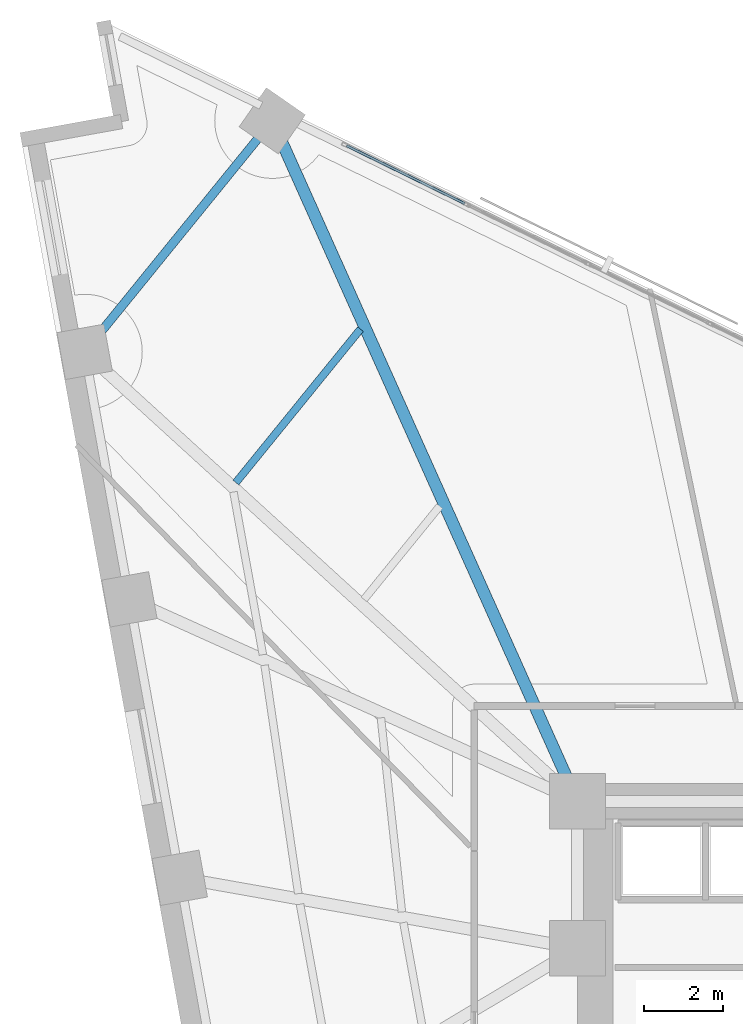
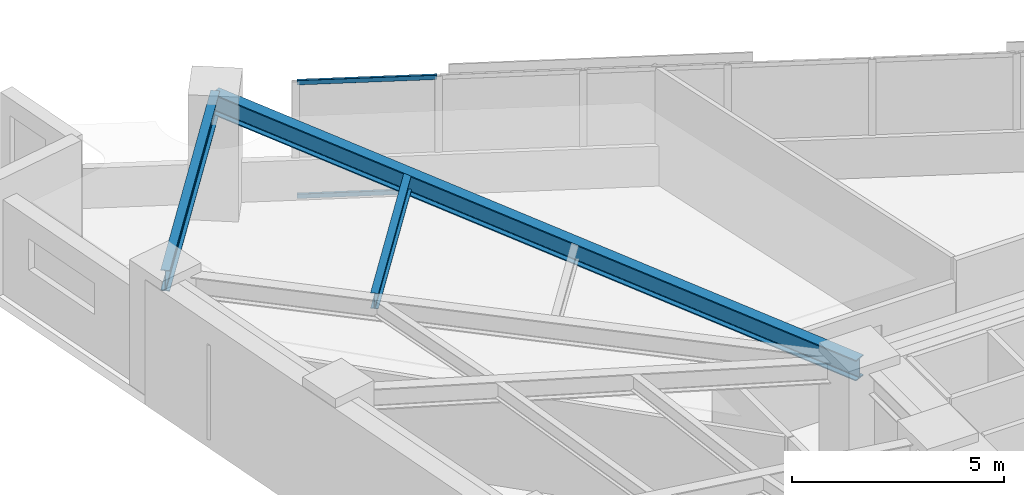
# One storey, part 9 of 18: 3 beams, 2 members, 1 element without a shape of its own.
"""IFC4 building model written with IfcOpenShell, lengths in metres."""

from ifc_helpers import new_model, si_unit, direction, frame, origin, origin_2d, place, context, subcontext, project, spatial, hollow_rectangle, i_section, extrude, material, material_profile, profile_set, type_object, element, aggregate, save


model = new_model("IFC4")

# Units and contexts
model_context = context("Model", 3, precision=1e-05, world=origin(), true_north=direction((0.0, 1.0)))
body_context = subcontext(model_context, "Body", "Model", "MODEL_VIEW")
ifc_project = project(units=[si_unit("LENGTHUNIT", "METRE"), si_unit("AREAUNIT", "SQUARE_METRE"), si_unit("VOLUMEUNIT", "CUBIC_METRE"), si_unit("PLANEANGLEUNIT", "RADIAN"), si_unit("MASSUNIT", "GRAM", prefix="KILO")], contexts=[model_context])

# Site, building, storey
site_placement = place(None, origin())
site = spatial("IfcSite", under=ifc_project, at=site_placement, CompositionType="ELEMENT")
building_placement = place(site_placement, origin())
building = spatial("IfcBuilding", under=site, at=building_placement, Name="Narakoshi Arena Tower", CompositionType="ELEMENT")
storey_placement = place(building_placement, frame((0.0, 0.0, 99.300048828125)))
storey = spatial("IfcBuildingStorey", under=building, at=storey_placement, Name="L26", CompositionType="ELEMENT", Elevation=99.300048828125)

# Beams
ifc_material_1 = material(Name="Structural steel S355J2", Category="steel")
ifc_material_profile_1 = material_profile(ifc_material_1, i_section(OverallWidth=0.219970703125, OverallDepth=0.60009765625, WebThickness=0.011962890625, FlangeThickness=0.01904296875, FilletRadius=0.02392578125, at=origin_2d()), Name="IPE600")
ifc_profile_set_1 = profile_set([ifc_material_profile_1], Name="Structural steel S355J2")
beam_type_1 = type_object("IfcBeamType", Name="BM-EDGE-600", PredefinedType="BEAM", material=ifc_profile_set_1)
beam_1_placement = place(storey_placement, frame((64.31787109375, 73.633056640625, 3.0400390625), z_axis=(-0.630427035182, -0.776248512598, 0.0), x_axis=(0.776248512598, -0.630427035182, 0.0)))
element("IfcBeam", 1, at=beam_1_placement, inside=storey, type_object=beam_type_1, Name="L26 Perimeter Edge Girder 09", PredefinedType="BEAM", context=body_context, shape_type="SweptSolid", body=[
    extrude(i_section(OverallWidth=0.219970703125, OverallDepth=0.60009765625, WebThickness=0.011962890625, FlangeThickness=0.01904296875, FilletRadius=0.02392578125, at=origin_2d()), origin(), (0.0, 0.0, 1.0), 7.493896484375),
])
ifc_material_profile_2 = material_profile(ifc_material_1, i_section(OverallWidth=0.300048828125, OverallDepth=0.60009765625, WebThickness=0.015380859375, FlangeThickness=0.030029296875, FilletRadius=0.027099609375, at=origin_2d()), Name="HE600B")
ifc_profile_set_2 = profile_set([ifc_material_profile_2], Name="Structural steel S355J2")
beam_type_2 = type_object("IfcBeamType", Name="BM-PRI-600", PredefinedType="BEAM", material=ifc_profile_set_2)
beam_2_placement = place(storey_placement, frame((72.0, 56.5, 3.0400390625), z_axis=(-0.409135423529, 0.91247367371, 0.0), x_axis=(-0.91247367371, -0.409135423529, 0.0)))
element("IfcBeam", 2, at=beam_2_placement, inside=storey, type_object=beam_type_2, Name="L26 Radial Primary Floor Girder 09", PredefinedType="BEAM", context=body_context, shape_type="SweptSolid", body=[
    extrude(i_section(OverallWidth=0.300048828125, OverallDepth=0.60009765625, WebThickness=0.015380859375, FlangeThickness=0.030029296875, FilletRadius=0.027099609375, at=origin_2d()), origin(), (0.0, 0.0, 1.0), 18.776611328125),
])
ifc_material_profile_3 = material_profile(ifc_material_1, i_section(OverallWidth=0.18994140625, OverallDepth=0.449951171875, WebThickness=0.009521484375, FlangeThickness=0.0146484375, FilletRadius=0.02099609375, at=origin_2d()), Name="IPE450")
ifc_profile_set_3 = profile_set([ifc_material_profile_3], Name="Structural steel S355J2")
beam_type_3 = type_object("IfcBeamType", Name="BM-SEC-450", PredefinedType="JOIST", material=ifc_profile_set_3)
beam_3_placement = place(storey_placement, frame((66.537353515625, 68.38818359375, 3.114990234375), z_axis=(-0.630422662324, -0.776252063977, 0.0), x_axis=(0.776252063977, -0.630422662324, 0.0)))
element("IfcBeam", 3, at=beam_3_placement, inside=storey, type_object=beam_type_3, Name="L26 Composite Secondary Floor Joist 10", PredefinedType="JOIST", context=body_context, shape_type="SweptSolid", body=[
    extrude(i_section(OverallWidth=0.18994140625, OverallDepth=0.449951171875, WebThickness=0.009521484375, FlangeThickness=0.0146484375, FilletRadius=0.02099609375, at=origin_2d()), origin(), (0.0, 0.0, 1.0), 4.9755859375),
])

# Curtain wall, members
ifc_material_2 = material(Name="Anodised bronze aluminium 6063-T6", Category="aluminium")
curtain_wall_type = type_object("IfcCurtainWallType", Name="CW-HYP-LOW", PredefinedType="NOTDEFINED", material=ifc_material_2)
curtain_wall_placement = place(storey_placement, origin())
curtain_wall = element("IfcCurtainWall", 4, at=curtain_wall_placement, inside=storey, type_object=curtain_wall_type, Name="L26 Folded Hypotenuse Curtain Wall 2-1", PredefinedType="NOTDEFINED")
ifc_material_profile_4 = material_profile(ifc_material_2, hollow_rectangle(XDim=0.06494140625, YDim=0.1298828125, WallThickness=0.00390625, OuterFilletRadius=0.0048828125, at=origin_2d()), Name="TRN130x65x4")
ifc_profile_set_4 = profile_set([ifc_material_profile_4], Name="Anodised bronze aluminium 6063-T6")
member_type = type_object("IfcMemberType", Name="MEM-TRN-130", PredefinedType="USERDEFINED", material=ifc_profile_set_4)
member_1_placement = place(storey_placement, frame((69.1591796875, 71.55029296875, 0.032470703125), z_axis=(-0.898012158644, 0.439970638711, 0.0), x_axis=(-0.439970638711, -0.898012158644, 0.0)))
member_1 = element("IfcMember", 5, at=member_1_placement, type_object=member_type, Name="CW-01 transom 7.1", ObjectType="TRANSOM", PredefinedType="USERDEFINED", context=body_context, shape_type="SweptSolid", body=[
    extrude(hollow_rectangle(XDim=0.06494140625, YDim=0.1298828125, WallThickness=0.00390625, OuterFilletRadius=0.0048828125, at=origin_2d()), origin(), (0.0, 0.0, 1.0), 3.31005859375),
])
member_2_placement = place(storey_placement, frame((69.1591796875, 71.55029296875, 3.307373046875), z_axis=(-0.898012158644, 0.439970638711, 0.0), x_axis=(-0.439970638711, -0.898012158644, 0.0)))
member_2 = element("IfcMember", 6, at=member_2_placement, type_object=member_type, Name="CW-01 transom 7.2", ObjectType="TRANSOM", PredefinedType="USERDEFINED", context=body_context, shape_type="SweptSolid", body=[
    extrude(hollow_rectangle(XDim=0.06494140625, YDim=0.1298828125, WallThickness=0.00390625, OuterFilletRadius=0.0048828125, at=origin_2d()), origin(), (0.0, 0.0, 1.0), 3.31005859375),
])
aggregate(curtain_wall, [member_1, member_2])

save(model, "model.ifc")
